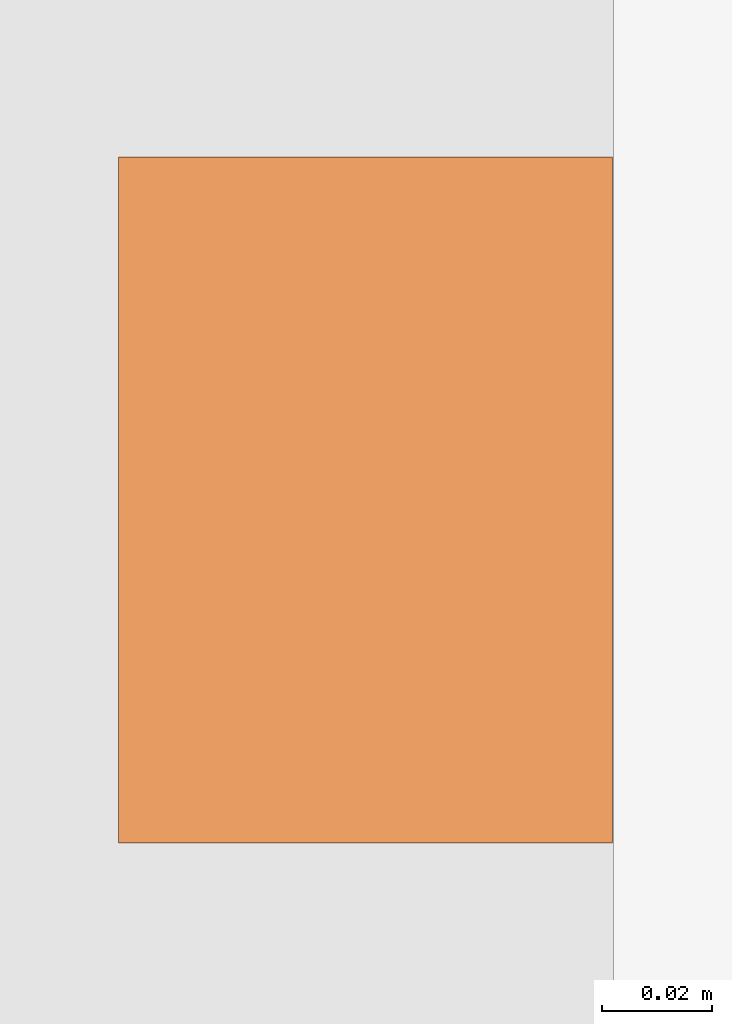
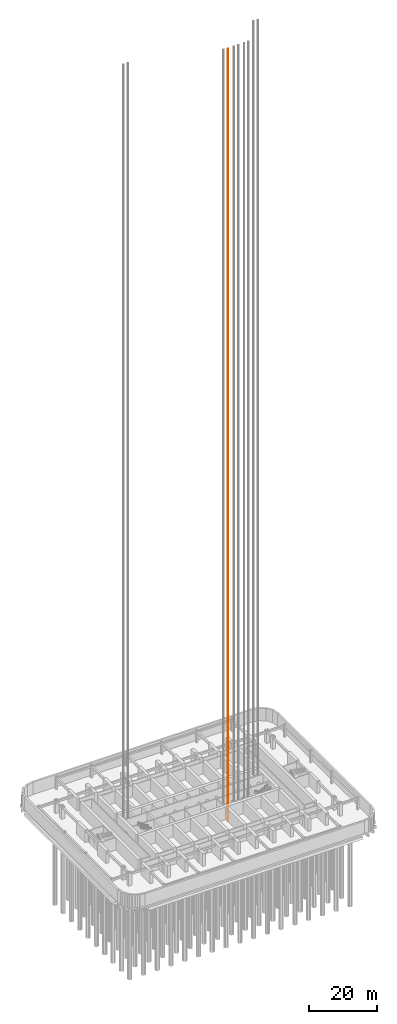
# One storey, part 20 of 28: 1 proxy.
"""IFC4 building model written with IfcOpenShell, lengths in metres."""

from ifc_helpers import new_model, si_unit, direction, frame, origin, origin_2d, place, context, subcontext, project, spatial, rectangle, extrude, material, element, save


model = new_model("IFC4")

# Units and contexts
model_context = context("Model", 3, precision=1e-05, world=origin(), true_north=direction((0.0, 1.0)))
body_context = subcontext(model_context, "Body", "Model", "MODEL_VIEW")
ifc_project = project(units=[si_unit("LENGTHUNIT", "METRE"), si_unit("AREAUNIT", "SQUARE_METRE"), si_unit("VOLUMEUNIT", "CUBIC_METRE"), si_unit("PLANEANGLEUNIT", "RADIAN"), si_unit("MASSUNIT", "GRAM", prefix="KILO")], contexts=[model_context])

# Site, building, storey
site_placement = place(None, origin())
site = spatial("IfcSite", under=ifc_project, at=site_placement, CompositionType="ELEMENT")
building_placement = place(site_placement, origin())
building = spatial("IfcBuilding", under=site, at=building_placement, Name="Orbita Commons", CompositionType="ELEMENT")
storey_placement = place(building_placement, frame((0.0, 0.0, -9.0)))
storey = spatial("IfcBuildingStorey", under=building, at=storey_placement, Name="L-02", CompositionType="ELEMENT", Elevation=-9.0)

# Proxy
ifc_material = material(Name="Machined steel guide rail", Category="steel")
placement = place(storey_placement, frame((49.166748046875, 28.10009765625, 0.0), z_axis=(0.0, 0.0, 1.0), x_axis=(1.0, 0.0, 0.0)))
proxy_placement = place(placement, frame((0.7548828125, 0.0, -3.199951171875)))
element("IfcBuildingElementProxy", 1, at=proxy_placement, inside=storey, material=ifc_material, Name="SV1 guide rail 2", ObjectType="GUIDE RAIL", PredefinedType="USERDEFINED", context=body_context, shape_type="SweptSolid", body=[
    extrude(rectangle(XDim=0.09, YDim=0.125, at=origin_2d()), origin(), (0.0, 0.0, 1.0), 279.0),
])

save(model, "model.ifc")
